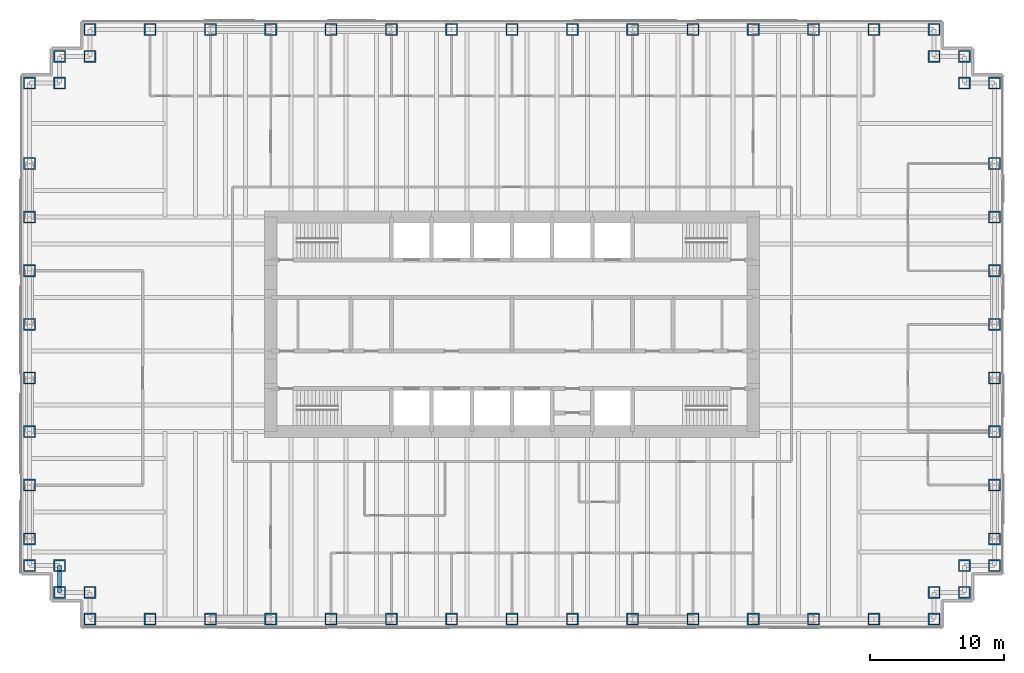
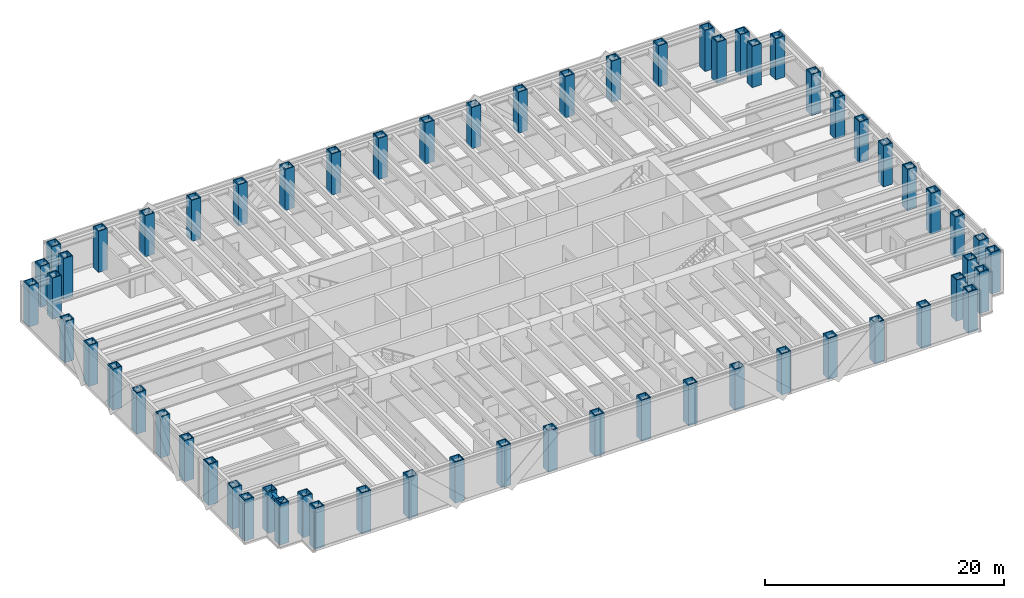
# One storey, part 1 of 16: 62 columns, 1 beam.
"""IFC4 building model written with IfcOpenShell, lengths in metres."""

from ifc_helpers import new_model, si_unit, direction, frame, origin, origin_2d, place, context, subcontext, project, spatial, hollow_rectangle, i_section, extrude, material, material_profile, profile_set, type_object, element, save


model = new_model("IFC4")

# Units and contexts
model_context = context("Model", 3, precision=1e-05, world=origin(), true_north=direction((0.0, 1.0)))
body_context = subcontext(model_context, "Body", "Model", "MODEL_VIEW")
ifc_project = project(units=[si_unit("LENGTHUNIT", "METRE"), si_unit("AREAUNIT", "SQUARE_METRE"), si_unit("VOLUMEUNIT", "CUBIC_METRE"), si_unit("PLANEANGLEUNIT", "RADIAN"), si_unit("MASSUNIT", "GRAM", prefix="KILO")], contexts=[model_context])

# Site, building, storey
site_placement = place(None, origin())
site = spatial("IfcSite", under=ifc_project, at=site_placement, CompositionType="ELEMENT")
building_placement = place(site_placement, origin())
building = spatial("IfcBuilding", under=site, at=building_placement, Name="Rheinbord Bourse Tower", CompositionType="ELEMENT")
storey_placement = place(building_placement, frame((0.0, 0.0, 171.89990234375)))
storey = spatial("IfcBuildingStorey", under=building, at=storey_placement, Name="L38", CompositionType="ELEMENT", Elevation=171.89990234375)

# Columns
ifc_material_1 = material(Name="Steel S460M", Category="steel")
ifc_material_profile_1 = material_profile(ifc_material_1, hollow_rectangle(XDim=0.89990234375, YDim=0.89990234375, WallThickness=0.090087890625, at=origin_2d()), Name="BOX 900x900x90")
ifc_profile_set_1 = profile_set([ifc_material_profile_1], Name="Steel S460M")
column_type = type_object("IfcColumnType", Name="TUBE COLUMN BOX 900x900x90", PredefinedType="COLUMN", material=ifc_profile_set_1)
for number, where, z_axis, x_axis, name in (
    (1, (4.5, 2.0, 0.0), (0.0, 0.0, 1.0), (0.0, 1.0, 0.0), "Column SW-E L38"),
    (2, (9.0, 2.0, 0.0), (0.0, 0.0, 1.0), (0.0, 1.0, 0.0), "Column S-9 L38"),
    (3, (13.5, 2.0, 0.0), (0.0, 0.0, 1.0), (0.0, 1.0, 0.0), "Column S-13.5 L38"),
    (4, (18.0, 2.0, 0.0), (0.0, 0.0, 1.0), (0.0, 1.0, 0.0), "Column S-18 L38"),
    (5, (22.5, 2.0, 0.0), (0.0, 0.0, 1.0), (0.0, 1.0, 0.0), "Column S-22.5 L38"),
    (6, (27.0, 2.0, 0.0), (0.0, 0.0, 1.0), (0.0, 1.0, 0.0), "Column S-27 L38"),
    (7, (31.5, 2.0, 0.0), (0.0, 0.0, 1.0), (0.0, 1.0, 0.0), "Column S-31.5 L38"),
    (8, (36.0, 2.0, 0.0), (0.0, 0.0, 1.0), (0.0, 1.0, 0.0), "Column S-36 L38"),
    (9, (40.5, 2.0, 0.0), (0.0, 0.0, 1.0), (0.0, 1.0, 0.0), "Column S-40.5 L38"),
    (10, (45.0, 2.0, 0.0), (0.0, 0.0, 1.0), (0.0, 1.0, 0.0), "Column S-45 L38"),
    (11, (49.5, 2.0, 0.0), (0.0, 0.0, 1.0), (0.0, 1.0, 0.0), "Column S-49.5 L38"),
    (12, (54.0, 2.0, 0.0), (0.0, 0.0, 1.0), (0.0, 1.0, 0.0), "Column S-54 L38"),
    (13, (58.5, 2.0, 0.0), (0.0, 0.0, 1.0), (0.0, 1.0, 0.0), "Column S-58.5 L38"),
    (14, (63.0, 2.0, 0.0), (0.0, 0.0, 1.0), (0.0, 1.0, 0.0), "Column S-63 L38"),
    (15, (67.5, 2.0, 0.0), (0.0, 0.0, 1.0), (0.0, 1.0, 0.0), "Column SE-E L38"),
    (16, (67.5, 4.0, 0.0), (0.0, 0.0, 1.0), (0.0, 1.0, 0.0), "Column SE-D L38"),
    (17, (69.75, 4.0, 0.0), (0.0, 0.0, 1.0), (1.0, 0.0, 0.0), "Column SE-C L38"),
    (18, (69.75, 6.0, 0.0), (0.0, 0.0, 1.0), (1.0, 0.0, 0.0), "Column SE-B L38"),
    (19, (72.0, 6.0, 0.0), (0.0, 0.0, 1.0), (1.0, 0.0, 0.0), "Column SE-A L38"),
    (20, (72.0, 8.0, 0.0), (0.0, 0.0, 1.0), (1.0, 0.0, 0.0), "Column E-8 L38"),
    (21, (72.0, 12.0, 0.0), (0.0, 0.0, 1.0), (1.0, 0.0, 0.0), "Column E-12 L38"),
    (22, (72.0, 16.0, 0.0), (0.0, 0.0, 1.0), (1.0, 0.0, 0.0), "Column E-16 L38"),
    (23, (72.0, 20.0, 0.0), (0.0, 0.0, 1.0), (1.0, 0.0, 0.0), "Column E-20 L38"),
    (24, (72.0, 24.0, 0.0), (0.0, 0.0, 1.0), (1.0, 0.0, 0.0), "Column E-24 L38"),
    (25, (72.0, 28.0, 0.0), (0.0, 0.0, 1.0), (1.0, 0.0, 0.0), "Column E-28 L38"),
    (26, (72.0, 32.0, 0.0), (0.0, 0.0, 1.0), (1.0, 0.0, 0.0), "Column E-32 L38"),
    (27, (72.0, 36.0, 0.0), (0.0, 0.0, 1.0), (1.0, 0.0, 0.0), "Column E-36 L38"),
    (28, (72.0, 42.0, 0.0), (0.0, 0.0, 1.0), (1.0, 0.0, 0.0), "Column NE-A L38"),
    (29, (69.75, 42.0, 0.0), (0.0, 0.0, 1.0), (1.0, 0.0, 0.0), "Column NE-B L38"),
    (30, (69.75, 44.0, 0.0), (0.0, 0.0, 1.0), (1.0, 0.0, 0.0), "Column NE-C L38"),
    (31, (67.5, 44.0, 0.0), (0.0, 0.0, 1.0), (0.0, 1.0, 0.0), "Column NE-D L38"),
    (32, (67.5, 46.0, 0.0), (0.0, 0.0, 1.0), (0.0, 1.0, 0.0), "Column NE-E L38"),
    (33, (63.0, 46.0, 0.0), (0.0, 0.0, 1.0), (0.0, 1.0, 0.0), "Column N-63 L38"),
    (34, (58.5, 46.0, 0.0), (0.0, 0.0, 1.0), (0.0, 1.0, 0.0), "Column N-58.5 L38"),
    (35, (54.0, 46.0, 0.0), (0.0, 0.0, 1.0), (0.0, 1.0, 0.0), "Column N-54 L38"),
    (36, (49.5, 46.0, 0.0), (0.0, 0.0, 1.0), (0.0, 1.0, 0.0), "Column N-49.5 L38"),
    (37, (45.0, 46.0, 0.0), (0.0, 0.0, 1.0), (0.0, 1.0, 0.0), "Column N-45 L38"),
    (38, (40.5, 46.0, 0.0), (0.0, 0.0, 1.0), (0.0, 1.0, 0.0), "Column N-40.5 L38"),
    (39, (36.0, 46.0, 0.0), (0.0, 0.0, 1.0), (0.0, 1.0, 0.0), "Column N-36 L38"),
    (40, (31.5, 46.0, 0.0), (0.0, 0.0, 1.0), (0.0, 1.0, 0.0), "Column N-31.5 L38"),
    (41, (27.0, 46.0, 0.0), (0.0, 0.0, 1.0), (0.0, 1.0, 0.0), "Column N-27 L38"),
    (42, (22.5, 46.0, 0.0), (0.0, 0.0, 1.0), (0.0, 1.0, 0.0), "Column N-22.5 L38"),
    (43, (18.0, 46.0, 0.0), (0.0, 0.0, 1.0), (0.0, 1.0, 0.0), "Column N-18 L38"),
    (44, (13.5, 46.0, 0.0), (0.0, 0.0, 1.0), (0.0, 1.0, 0.0), "Column N-13.5 L38"),
    (45, (9.0, 46.0, 0.0), (0.0, 0.0, 1.0), (0.0, 1.0, 0.0), "Column N-9 L38"),
    (46, (4.5, 46.0, 0.0), (0.0, 0.0, 1.0), (0.0, 1.0, 0.0), "Column NW-E L38"),
    (47, (4.5, 44.0, 0.0), (0.0, 0.0, 1.0), (0.0, 1.0, 0.0), "Column NW-D L38"),
    (48, (2.25, 44.0, 0.0), (0.0, 0.0, 1.0), (1.0, 0.0, 0.0), "Column NW-C L38"),
    (49, (2.25, 42.0, 0.0), (0.0, 0.0, 1.0), (1.0, 0.0, 0.0), "Column NW-B L38"),
    (50, (0.0, 42.0, 0.0), (0.0, 0.0, 1.0), (1.0, 0.0, 0.0), "Column NW-A L38"),
    (51, (0.0, 36.0, 0.0), (0.0, 0.0, 1.0), (1.0, 0.0, 0.0), "Column W-36 L38"),
    (52, (0.0, 32.0, 0.0), (0.0, 0.0, 1.0), (1.0, 0.0, 0.0), "Column W-32 L38"),
    (53, (0.0, 28.0, 0.0), (0.0, 0.0, 1.0), (1.0, 0.0, 0.0), "Column W-28 L38"),
    (54, (0.0, 24.0, 0.0), (0.0, 0.0, 1.0), (1.0, 0.0, 0.0), "Column W-24 L38"),
    (55, (0.0, 20.0, 0.0), (0.0, 0.0, 1.0), (1.0, 0.0, 0.0), "Column W-20 L38"),
    (56, (0.0, 16.0, 0.0), (0.0, 0.0, 1.0), (1.0, 0.0, 0.0), "Column W-16 L38"),
    (57, (0.0, 12.0, 0.0), (0.0, 0.0, 1.0), (1.0, 0.0, 0.0), "Column W-12 L38"),
    (58, (0.0, 8.0, 0.0), (0.0, 0.0, 1.0), (1.0, 0.0, 0.0), "Column W-8 L38"),
    (59, (0.0, 6.0, 0.0), (0.0, 0.0, 1.0), (1.0, 0.0, 0.0), "Column SW-A L38"),
    (60, (2.25, 6.0, 0.0), (0.0, 0.0, 1.0), (1.0, 0.0, 0.0), "Column SW-B L38"),
    (61, (2.25, 4.0, 0.0), (0.0, 0.0, 1.0), (1.0, 0.0, 0.0), "Column SW-C L38"),
    (62, (4.5, 4.0, 0.0), (0.0, 0.0, 1.0), (0.0, 1.0, 0.0), "Column SW-D L38"),
):
    element("IfcColumn", number, at=place(storey_placement, frame(where, z_axis=z_axis, x_axis=x_axis)), inside=storey, type_object=column_type, Name=name, PredefinedType="COLUMN", context=body_context, shape_type="SweptSolid", body=[
        extrude(hollow_rectangle(XDim=0.89990234375, YDim=0.89990234375, WallThickness=0.090087890625, at=origin_2d()), origin(), (0.0, 0.0, 1.0), 4.2001953125),
    ])

# Beam
ifc_material_2 = material(Name="Steel S460", Category="steel")
ifc_material_profile_2 = material_profile(ifc_material_2, i_section(OverallWidth=0.305908203125, OverallDepth=0.572021484375, WebThickness=0.02099609375, FlangeThickness=0.0400390625, at=origin_2d()), Name="HEM 550")
ifc_profile_set_2 = profile_set([ifc_material_profile_2], Name="Steel S460")
beam_type = type_object("IfcBeamType", Name="SPANDREL HEM 550", PredefinedType="SPANDREL", material=ifc_profile_set_2)
beam_placement = place(storey_placement, frame((2.25, 6.0, 3.754150390625), z_axis=(0.0, -1.0, 0.0), x_axis=(1.0, 0.0, 0.0)))
element("IfcBeam", 63, at=beam_placement, inside=storey, type_object=beam_type, Name="Spandrel SW-B-SW-C under L39", PredefinedType="SPANDREL", context=body_context, shape_type="SweptSolid", body=[
    extrude(i_section(OverallWidth=0.305908203125, OverallDepth=0.572021484375, WebThickness=0.02099609375, FlangeThickness=0.0400390625, at=origin_2d()), origin(), (0.0, 0.0, 1.0), 2.0),
])

save(model, "model.ifc")
